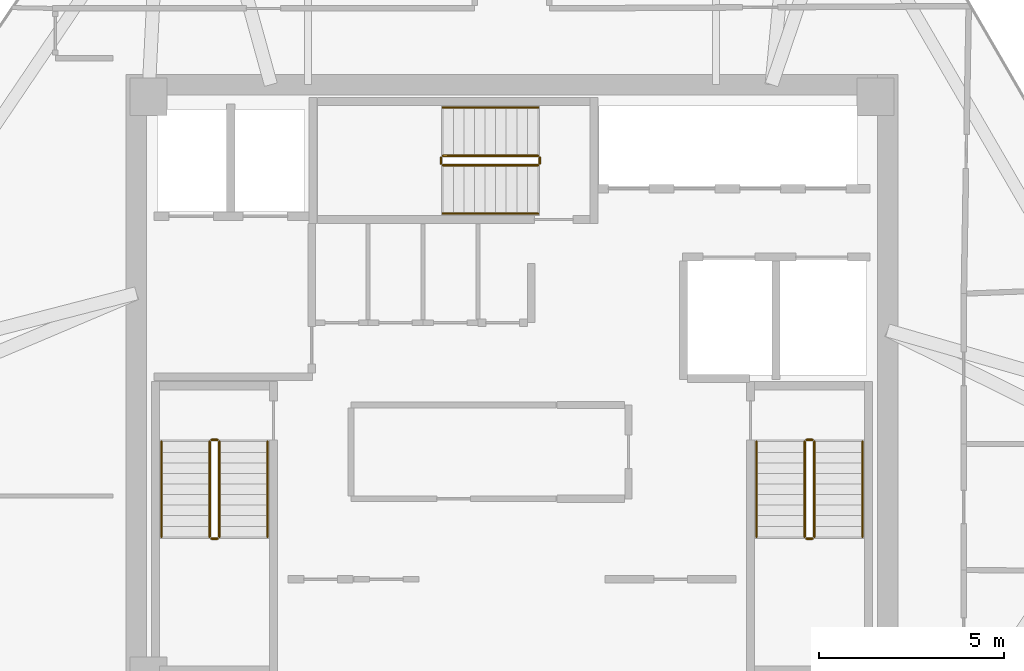
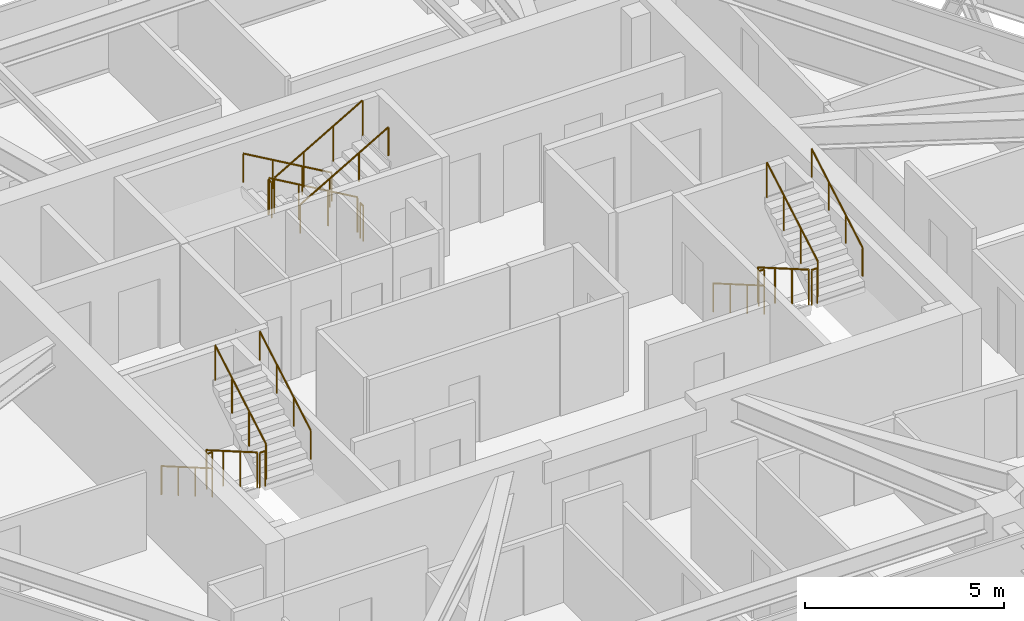
# One storey, part 13 of 13: 18 railings.
"""IFC4 building model written with IfcOpenShell, lengths in metres."""

from ifc_helpers import new_model, si_unit, direction, frame, origin, origin_2d, place, context, subcontext, project, spatial, circle, extrude, material, type_object, element, save


model = new_model("IFC4")

# Units and contexts
model_context = context("Model", 3, precision=1e-05, world=origin(), true_north=direction((0.0, 1.0)))
body_context = subcontext(model_context, "Body", "Model", "MODEL_VIEW")
ifc_project = project(units=[si_unit("LENGTHUNIT", "METRE"), si_unit("AREAUNIT", "SQUARE_METRE"), si_unit("VOLUMEUNIT", "CUBIC_METRE"), si_unit("PLANEANGLEUNIT", "RADIAN"), si_unit("MASSUNIT", "GRAM", prefix="KILO")], contexts=[model_context])

# Site, building, storey
site_placement = place(None, origin())
site = spatial("IfcSite", under=ifc_project, at=site_placement, CompositionType="ELEMENT")
building_placement = place(site_placement, origin())
building = spatial("IfcBuilding", under=site, at=building_placement, Name="Durnholm Broadcast Tower", CompositionType="ELEMENT")
storey_placement = place(building_placement, frame((0.0, 0.0, 248.0)))
storey = spatial("IfcBuildingStorey", under=building, at=storey_placement, Name="L69", CompositionType="ELEMENT", Elevation=248.0)

# Railings
ifc_material_1 = material(Name="Painted Tubular Steel Stair Guardrail", Category="steel")
railing_type_1 = type_object("IfcRailingType", Name="RAIL-ST-GRD", PredefinedType="GUARDRAIL", material=ifc_material_1)
railing_1_placement = place(storey_placement, frame((-8.14990234375, -1.5, 0.1650390625)))
element("IfcRailing", 1, at=railing_1_placement, inside=storey, type_object=railing_type_1, Name="L69 ST-1 stair guard 1", PredefinedType="GUARDRAIL", context=body_context, shape_type="SweptSolid", body=[
    extrude(circle(Radius=0.02392578125, at=origin_2d()), frame((0.0, 0.0, 1.076171875), z_axis=(0.0, -0.865441324677, 0.50101029285), x_axis=(1.0, 0.0, 0.0)), (0.0, 0.0, 1.0), 2.963623046875),
    extrude(circle(Radius=0.02099609375, at=origin_2d()), origin(), (0.0, 0.0, 1.0), 1.052001953125),
    extrude(circle(Radius=0.02099609375, at=origin_2d()), frame((0.0, -0.85498046875, 0.494873046875)), (0.0, 0.0, 1.0), 1.052001953125),
    extrude(circle(Radius=0.02099609375, at=origin_2d()), frame((0.0, -1.7099609375, 0.989990234375)), (0.0, 0.0, 1.0), 1.052001953125),
    extrude(circle(Radius=0.02099609375, at=origin_2d()), frame((0.0, -2.56494140625, 1.48486328125)), (0.0, 0.0, 1.0), 1.052001953125),
])
railing_2_placement = place(storey_placement, frame((-8.10009765625, -4.114990234375, 1.64990234375)))
element("IfcRailing", 2, at=railing_2_placement, inside=storey, type_object=railing_type_1, Name="L69 ST-1 stair guard 2", PredefinedType="GUARDRAIL", context=body_context, shape_type="SweptSolid", body=[
    extrude(circle(Radius=0.02392578125, at=origin_2d()), frame((0.0, 0.0, 1.076171875), z_axis=(1.0, 0.0, 0.0), x_axis=(0.0, 1.0, 0.0)), (0.0, 0.0, 1.0), 0.16015625),
    extrude(circle(Radius=0.02099609375, at=origin_2d()), origin(), (0.0, 0.0, 1.0), 1.052001953125),
    extrude(circle(Radius=0.02099609375, at=origin_2d()), frame((0.16015625, 0.0, 0.0)), (0.0, 0.0, 1.0), 1.052001953125),
])
railing_3_placement = place(storey_placement, frame((-7.889892578125, -4.06494140625, 1.81494140625)))
element("IfcRailing", 3, at=railing_3_placement, inside=storey, type_object=railing_type_1, Name="L69 ST-1 stair guard 3", PredefinedType="GUARDRAIL", context=body_context, shape_type="SweptSolid", body=[
    extrude(circle(Radius=0.02392578125, at=origin_2d()), frame((0.0, 0.0, 1.076171875), z_axis=(0.0, 0.865405606168, 0.501071987656), x_axis=(-1.0, 0.0, 0.0)), (0.0, 0.0, 1.0), 2.9638671875),
    extrude(circle(Radius=0.02099609375, at=origin_2d()), origin(), (0.0, 0.0, 1.0), 1.052001953125),
    extrude(circle(Radius=0.02099609375, at=origin_2d()), frame((0.0, 0.85498046875, 0.4951171875)), (0.0, 0.0, 1.0), 1.052001953125),
    extrude(circle(Radius=0.02099609375, at=origin_2d()), frame((0.0, 1.7099609375, 0.989990234375)), (0.0, 0.0, 1.0), 1.052001953125),
    extrude(circle(Radius=0.02099609375, at=origin_2d()), frame((0.0, 2.56494140625, 1.485107421875)), (0.0, 0.0, 1.0), 1.052001953125),
])
railing_4_placement = place(storey_placement, frame((-8.10009765625, -1.449951171875, 0.0)))
element("IfcRailing", 4, at=railing_4_placement, inside=storey, type_object=railing_type_1, Name="L69 ST-1 stair guard 4", PredefinedType="GUARDRAIL", context=body_context, shape_type="SweptSolid", body=[
    extrude(circle(Radius=0.02392578125, at=origin_2d()), frame((0.0, 0.0, 1.076171875), z_axis=(1.0, 0.0, 0.0), x_axis=(0.0, 1.0, 0.0)), (0.0, 0.0, 1.0), 0.16015625),
    extrude(circle(Radius=0.02099609375, at=origin_2d()), origin(), (0.0, 0.0, 1.0), 1.052001953125),
    extrude(circle(Radius=0.02099609375, at=origin_2d()), frame((0.16015625, 0.0, 0.0)), (0.0, 0.0, 1.0), 1.052001953125),
])
railing_5_placement = place(storey_placement, frame((7.889892578125, -1.5, 0.1650390625)))
element("IfcRailing", 5, at=railing_5_placement, inside=storey, type_object=railing_type_1, Name="L69 ST-2 stair guard 1", PredefinedType="GUARDRAIL", context=body_context, shape_type="SweptSolid", body=[
    extrude(circle(Radius=0.02392578125, at=origin_2d()), frame((0.0, 0.0, 1.076171875), z_axis=(0.0, -0.865441324677, 0.50101029285), x_axis=(1.0, 0.0, 0.0)), (0.0, 0.0, 1.0), 2.963623046875),
    extrude(circle(Radius=0.02099609375, at=origin_2d()), origin(), (0.0, 0.0, 1.0), 1.052001953125),
    extrude(circle(Radius=0.02099609375, at=origin_2d()), frame((0.0, -0.85498046875, 0.494873046875)), (0.0, 0.0, 1.0), 1.052001953125),
    extrude(circle(Radius=0.02099609375, at=origin_2d()), frame((0.0, -1.7099609375, 0.989990234375)), (0.0, 0.0, 1.0), 1.052001953125),
    extrude(circle(Radius=0.02099609375, at=origin_2d()), frame((0.0, -2.56494140625, 1.48486328125)), (0.0, 0.0, 1.0), 1.052001953125),
])
railing_6_placement = place(storey_placement, frame((7.93994140625, -4.114990234375, 1.64990234375)))
element("IfcRailing", 6, at=railing_6_placement, inside=storey, type_object=railing_type_1, Name="L69 ST-2 stair guard 2", PredefinedType="GUARDRAIL", context=body_context, shape_type="SweptSolid", body=[
    extrude(circle(Radius=0.02392578125, at=origin_2d()), frame((0.0, 0.0, 1.076171875), z_axis=(1.0, 0.0, 0.0), x_axis=(0.0, 1.0, 0.0)), (0.0, 0.0, 1.0), 0.16015625),
    extrude(circle(Radius=0.02099609375, at=origin_2d()), origin(), (0.0, 0.0, 1.0), 1.052001953125),
    extrude(circle(Radius=0.02099609375, at=origin_2d()), frame((0.16015625, 0.0, 0.0)), (0.0, 0.0, 1.0), 1.052001953125),
])
railing_7_placement = place(storey_placement, frame((8.14990234375, -4.06494140625, 1.81494140625)))
element("IfcRailing", 7, at=railing_7_placement, inside=storey, type_object=railing_type_1, Name="L69 ST-2 stair guard 3", PredefinedType="GUARDRAIL", context=body_context, shape_type="SweptSolid", body=[
    extrude(circle(Radius=0.02392578125, at=origin_2d()), frame((0.0, 0.0, 1.076171875), z_axis=(0.0, 0.865405606168, 0.501071987656), x_axis=(-1.0, 0.0, 0.0)), (0.0, 0.0, 1.0), 2.9638671875),
    extrude(circle(Radius=0.02099609375, at=origin_2d()), origin(), (0.0, 0.0, 1.0), 1.052001953125),
    extrude(circle(Radius=0.02099609375, at=origin_2d()), frame((0.0, 0.85498046875, 0.4951171875)), (0.0, 0.0, 1.0), 1.052001953125),
    extrude(circle(Radius=0.02099609375, at=origin_2d()), frame((0.0, 1.7099609375, 0.989990234375)), (0.0, 0.0, 1.0), 1.052001953125),
    extrude(circle(Radius=0.02099609375, at=origin_2d()), frame((0.0, 2.56494140625, 1.485107421875)), (0.0, 0.0, 1.0), 1.052001953125),
])
railing_8_placement = place(storey_placement, frame((7.93994140625, -1.449951171875, 0.0)))
element("IfcRailing", 8, at=railing_8_placement, inside=storey, type_object=railing_type_1, Name="L69 ST-2 stair guard 4", PredefinedType="GUARDRAIL", context=body_context, shape_type="SweptSolid", body=[
    extrude(circle(Radius=0.02392578125, at=origin_2d()), frame((0.0, 0.0, 1.076171875), z_axis=(1.0, 0.0, 0.0), x_axis=(0.0, 1.0, 0.0)), (0.0, 0.0, 1.0), 0.16015625),
    extrude(circle(Radius=0.02099609375, at=origin_2d()), origin(), (0.0, 0.0, 1.0), 1.052001953125),
    extrude(circle(Radius=0.02099609375, at=origin_2d()), frame((0.16015625, 0.0, 0.0)), (0.0, 0.0, 1.0), 1.052001953125),
])
railing_9_placement = place(storey_placement, frame((0.699951171875, 6.2099609375, 0.1650390625)))
element("IfcRailing", 9, at=railing_9_placement, inside=storey, type_object=railing_type_1, Name="L69 ST-3 stair guard 1", PredefinedType="GUARDRAIL", context=body_context, shape_type="SweptSolid", body=[
    extrude(circle(Radius=0.02392578125, at=origin_2d()), frame((0.0, 0.0, 1.076171875), z_axis=(-0.865441324677, 0.0, 0.50101029285), x_axis=(0.0, -1.0, 0.0)), (0.0, 0.0, 1.0), 2.963623046875),
    extrude(circle(Radius=0.02099609375, at=origin_2d()), origin(), (0.0, 0.0, 1.0), 1.052001953125),
    extrude(circle(Radius=0.02099609375, at=origin_2d()), frame((-0.85498046875, 0.0, 0.494873046875)), (0.0, 0.0, 1.0), 1.052001953125),
    extrude(circle(Radius=0.02099609375, at=origin_2d()), frame((-1.7099609375, 0.0, 0.989990234375)), (0.0, 0.0, 1.0), 1.052001953125),
    extrude(circle(Radius=0.02099609375, at=origin_2d()), frame((-2.56494140625, 0.0, 1.48486328125)), (0.0, 0.0, 1.0), 1.052001953125),
])
railing_10_placement = place(storey_placement, frame((-1.9150390625, 6.159912109375, 1.64990234375)))
element("IfcRailing", 10, at=railing_10_placement, inside=storey, type_object=railing_type_1, Name="L69 ST-3 stair guard 2", PredefinedType="GUARDRAIL", context=body_context, shape_type="SweptSolid", body=[
    extrude(circle(Radius=0.02392578125, at=origin_2d()), frame((0.0, 0.0, 1.076171875), z_axis=(0.0, -1.0, 0.0), x_axis=(1.0, 0.0, 0.0)), (0.0, 0.0, 1.0), 0.159912109375),
    extrude(circle(Radius=0.02099609375, at=origin_2d()), origin(), (0.0, 0.0, 1.0), 1.052001953125),
    extrude(circle(Radius=0.02099609375, at=origin_2d()), frame((0.0, -0.159912109375, 0.0)), (0.0, 0.0, 1.0), 1.052001953125),
])
railing_11_placement = place(storey_placement, frame((-1.864990234375, 5.949951171875, 1.81494140625)))
element("IfcRailing", 11, at=railing_11_placement, inside=storey, type_object=railing_type_1, Name="L69 ST-3 stair guard 3", PredefinedType="GUARDRAIL", context=body_context, shape_type="SweptSolid", body=[
    extrude(circle(Radius=0.02392578125, at=origin_2d()), frame((0.0, 0.0, 1.076171875), z_axis=(0.865405606168, 0.0, 0.501071987656), x_axis=(0.0, 1.0, 0.0)), (0.0, 0.0, 1.0), 2.9638671875),
    extrude(circle(Radius=0.02099609375, at=origin_2d()), origin(), (0.0, 0.0, 1.0), 1.052001953125),
    extrude(circle(Radius=0.02099609375, at=origin_2d()), frame((0.85498046875, 0.0, 0.4951171875)), (0.0, 0.0, 1.0), 1.052001953125),
    extrude(circle(Radius=0.02099609375, at=origin_2d()), frame((1.7099609375, 0.0, 0.989990234375)), (0.0, 0.0, 1.0), 1.052001953125),
    extrude(circle(Radius=0.02099609375, at=origin_2d()), frame((2.56494140625, 0.0, 1.485107421875)), (0.0, 0.0, 1.0), 1.052001953125),
])
railing_12_placement = place(storey_placement, frame((0.75, 6.159912109375, 0.0)))
element("IfcRailing", 12, at=railing_12_placement, inside=storey, type_object=railing_type_1, Name="L69 ST-3 stair guard 4", PredefinedType="GUARDRAIL", context=body_context, shape_type="SweptSolid", body=[
    extrude(circle(Radius=0.02392578125, at=origin_2d()), frame((0.0, 0.0, 1.076171875), z_axis=(0.0, -1.0, 0.0), x_axis=(1.0, 0.0, 0.0)), (0.0, 0.0, 1.0), 0.159912109375),
    extrude(circle(Radius=0.02099609375, at=origin_2d()), origin(), (0.0, 0.0, 1.0), 1.052001953125),
    extrude(circle(Radius=0.02099609375, at=origin_2d()), frame((0.0, -0.159912109375, 0.0)), (0.0, 0.0, 1.0), 1.052001953125),
])
ifc_material_2 = material(Name="Brushed Stainless Steel Handrail", Category="steel")
railing_type_2 = type_object("IfcRailingType", Name="RAIL-ST-HND", PredefinedType="HANDRAIL", material=ifc_material_2)
railing_13_placement = place(storey_placement, frame((-9.449951171875, -1.5, 0.330078125)))
element("IfcRailing", 13, at=railing_13_placement, inside=storey, type_object=railing_type_2, Name="L69 ST-1 stair handrail 1", PredefinedType="HANDRAIL", context=body_context, shape_type="SweptSolid", body=[
    extrude(circle(Radius=0.02392578125, at=origin_2d()), frame((0.0, 0.0, 0.8759765625), z_axis=(0.0, -0.865441324677, 0.50101029285), x_axis=(1.0, 0.0, 0.0)), (0.0, 0.0, 1.0), 2.963623046875),
    extrude(circle(Radius=0.02099609375, at=origin_2d()), origin(), (0.0, 0.0, 1.0), 0.851806640625),
    extrude(circle(Radius=0.02099609375, at=origin_2d()), frame((0.0, -0.85498046875, 0.494873046875)), (0.0, 0.0, 1.0), 0.851806640625),
    extrude(circle(Radius=0.02099609375, at=origin_2d()), frame((0.0, -1.7099609375, 0.989990234375)), (0.0, 0.0, 1.0), 0.851806640625),
    extrude(circle(Radius=0.02099609375, at=origin_2d()), frame((0.0, -2.56494140625, 1.48486328125)), (0.0, 0.0, 1.0), 0.851806640625),
])
railing_14_placement = place(storey_placement, frame((-6.590087890625, -4.06494140625, 1.97998046875)))
element("IfcRailing", 14, at=railing_14_placement, inside=storey, type_object=railing_type_2, Name="L69 ST-1 stair handrail 2", PredefinedType="HANDRAIL", context=body_context, shape_type="SweptSolid", body=[
    extrude(circle(Radius=0.02392578125, at=origin_2d()), frame((0.0, 0.0, 0.8759765625), z_axis=(0.0, 0.865405606168, 0.501071987656), x_axis=(-1.0, 0.0, 0.0)), (0.0, 0.0, 1.0), 2.9638671875),
    extrude(circle(Radius=0.02099609375, at=origin_2d()), origin(), (0.0, 0.0, 1.0), 0.851806640625),
    extrude(circle(Radius=0.02099609375, at=origin_2d()), frame((0.0, 0.85498046875, 0.4951171875)), (0.0, 0.0, 1.0), 0.851806640625),
    extrude(circle(Radius=0.02099609375, at=origin_2d()), frame((0.0, 1.7099609375, 0.989990234375)), (0.0, 0.0, 1.0), 0.851806640625),
    extrude(circle(Radius=0.02099609375, at=origin_2d()), frame((0.0, 2.56494140625, 1.485107421875)), (0.0, 0.0, 1.0), 0.851806640625),
])
railing_15_placement = place(storey_placement, frame((6.590087890625, -1.5, 0.330078125)))
element("IfcRailing", 15, at=railing_15_placement, inside=storey, type_object=railing_type_2, Name="L69 ST-2 stair handrail 1", PredefinedType="HANDRAIL", context=body_context, shape_type="SweptSolid", body=[
    extrude(circle(Radius=0.02392578125, at=origin_2d()), frame((0.0, 0.0, 0.8759765625), z_axis=(0.0, -0.865441324677, 0.50101029285), x_axis=(1.0, 0.0, 0.0)), (0.0, 0.0, 1.0), 2.963623046875),
    extrude(circle(Radius=0.02099609375, at=origin_2d()), origin(), (0.0, 0.0, 1.0), 0.851806640625),
    extrude(circle(Radius=0.02099609375, at=origin_2d()), frame((0.0, -0.85498046875, 0.494873046875)), (0.0, 0.0, 1.0), 0.851806640625),
    extrude(circle(Radius=0.02099609375, at=origin_2d()), frame((0.0, -1.7099609375, 0.989990234375)), (0.0, 0.0, 1.0), 0.851806640625),
    extrude(circle(Radius=0.02099609375, at=origin_2d()), frame((0.0, -2.56494140625, 1.48486328125)), (0.0, 0.0, 1.0), 0.851806640625),
])
railing_16_placement = place(storey_placement, frame((9.449951171875, -4.06494140625, 1.97998046875)))
element("IfcRailing", 16, at=railing_16_placement, inside=storey, type_object=railing_type_2, Name="L69 ST-2 stair handrail 2", PredefinedType="HANDRAIL", context=body_context, shape_type="SweptSolid", body=[
    extrude(circle(Radius=0.02392578125, at=origin_2d()), frame((0.0, 0.0, 0.8759765625), z_axis=(0.0, 0.865405606168, 0.501071987656), x_axis=(-1.0, 0.0, 0.0)), (0.0, 0.0, 1.0), 2.9638671875),
    extrude(circle(Radius=0.02099609375, at=origin_2d()), origin(), (0.0, 0.0, 1.0), 0.851806640625),
    extrude(circle(Radius=0.02099609375, at=origin_2d()), frame((0.0, 0.85498046875, 0.4951171875)), (0.0, 0.0, 1.0), 0.851806640625),
    extrude(circle(Radius=0.02099609375, at=origin_2d()), frame((0.0, 1.7099609375, 0.989990234375)), (0.0, 0.0, 1.0), 0.851806640625),
    extrude(circle(Radius=0.02099609375, at=origin_2d()), frame((0.0, 2.56494140625, 1.485107421875)), (0.0, 0.0, 1.0), 0.851806640625),
])
railing_17_placement = place(storey_placement, frame((0.699951171875, 7.510009765625, 0.330078125)))
element("IfcRailing", 17, at=railing_17_placement, inside=storey, type_object=railing_type_2, Name="L69 ST-3 stair handrail 1", PredefinedType="HANDRAIL", context=body_context, shape_type="SweptSolid", body=[
    extrude(circle(Radius=0.02392578125, at=origin_2d()), frame((0.0, 0.0, 0.8759765625), z_axis=(-0.865441324677, 0.0, 0.50101029285), x_axis=(0.0, -1.0, 0.0)), (0.0, 0.0, 1.0), 2.963623046875),
    extrude(circle(Radius=0.02099609375, at=origin_2d()), origin(), (0.0, 0.0, 1.0), 0.851806640625),
    extrude(circle(Radius=0.02099609375, at=origin_2d()), frame((-0.85498046875, 0.0, 0.494873046875)), (0.0, 0.0, 1.0), 0.851806640625),
    extrude(circle(Radius=0.02099609375, at=origin_2d()), frame((-1.7099609375, 0.0, 0.989990234375)), (0.0, 0.0, 1.0), 0.851806640625),
    extrude(circle(Radius=0.02099609375, at=origin_2d()), frame((-2.56494140625, 0.0, 1.48486328125)), (0.0, 0.0, 1.0), 0.851806640625),
])
railing_18_placement = place(storey_placement, frame((-1.864990234375, 4.64990234375, 1.97998046875)))
element("IfcRailing", 18, at=railing_18_placement, inside=storey, type_object=railing_type_2, Name="L69 ST-3 stair handrail 2", PredefinedType="HANDRAIL", context=body_context, shape_type="SweptSolid", body=[
    extrude(circle(Radius=0.02392578125, at=origin_2d()), frame((0.0, 0.0, 0.8759765625), z_axis=(0.865405606168, 0.0, 0.501071987656), x_axis=(0.0, 1.0, 0.0)), (0.0, 0.0, 1.0), 2.9638671875),
    extrude(circle(Radius=0.02099609375, at=origin_2d()), origin(), (0.0, 0.0, 1.0), 0.851806640625),
    extrude(circle(Radius=0.02099609375, at=origin_2d()), frame((0.85498046875, 0.0, 0.4951171875)), (0.0, 0.0, 1.0), 0.851806640625),
    extrude(circle(Radius=0.02099609375, at=origin_2d()), frame((1.7099609375, 0.0, 0.989990234375)), (0.0, 0.0, 1.0), 0.851806640625),
    extrude(circle(Radius=0.02099609375, at=origin_2d()), frame((2.56494140625, 0.0, 1.485107421875)), (0.0, 0.0, 1.0), 0.851806640625),
])

save(model, "model.ifc")
